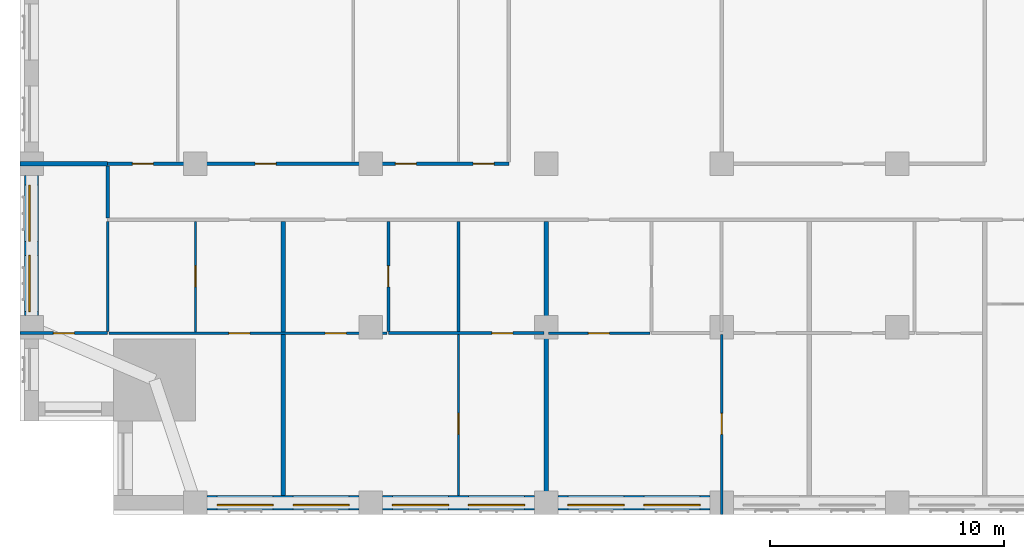
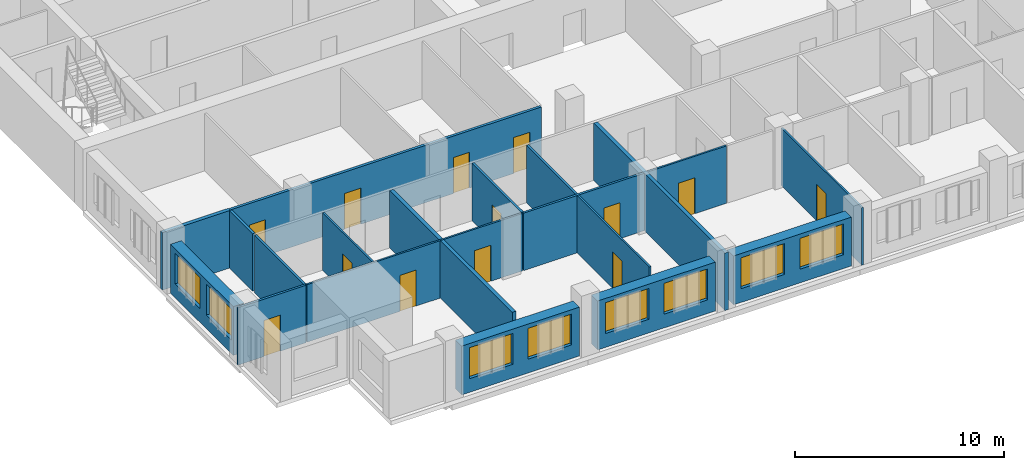
# One storey, part 4 of 14: 19 walls, 13 doors, 8 windows, 21 openings.
"""IFC4 building model written with IfcOpenShell, lengths in metres."""

from ifc_helpers import new_model, si_unit, direction, frame, frame_2d, origin, place, context, subcontext, project, spatial, rectangle, extrude, material, layer, layer_set, type_object, element, fill, save


model = new_model("IFC4")

# Units and contexts
model_context = context("Model", 3, precision=1e-05, world=origin(), true_north=direction((0.0, 1.0)))
body_context = subcontext(model_context, "Body", "Model", "MODEL_VIEW")
ifc_project = project(units=[si_unit("LENGTHUNIT", "METRE"), si_unit("AREAUNIT", "SQUARE_METRE"), si_unit("VOLUMEUNIT", "CUBIC_METRE"), si_unit("PLANEANGLEUNIT", "RADIAN"), si_unit("MASSUNIT", "GRAM", prefix="KILO")], contexts=[model_context])

# Site, building, storey
site_placement = place(None, origin())
site = spatial("IfcSite", under=ifc_project, at=site_placement, CompositionType="ELEMENT")
building_placement = place(site_placement, origin())
building = spatial("IfcBuilding", under=site, at=building_placement, Name="Tamorin Gate", CompositionType="ELEMENT")
storey_placement = place(building_placement, frame((0.0, 0.0, 137.39990234375)))
storey = spatial("IfcBuildingStorey", under=building, at=storey_placement, Name="L33", CompositionType="ELEMENT", Elevation=137.39990234375)

# Wall, openings, windows
ifc_material_1 = material(Name="Precast concrete C40/50", Category="concrete")
ifc_layer_1 = layer(ifc_material_1, 0.60009765625)
ifc_layer_set_1 = layer_set([ifc_layer_1], Name="Precast concrete C40/50")
wall_type_1 = type_object("IfcWallType", Name="Board-marked concrete facade panel 600", PredefinedType="SOLIDWALL", material=ifc_layer_set_1)
wall_1_placement = place(storey_placement, frame((38.0, 38.0, 0.0), z_axis=(0.0, 0.0, 1.0), x_axis=(1.0, 0.0, 0.0)))
wall_1 = element("IfcWall", 1, at=wall_1_placement, inside=storey, type_object=wall_type_1, Name="Facade panel", PredefinedType="SOLIDWALL", context=body_context, shape_type="SweptSolid", body=[
    extrude(rectangle(XDim=6.5, YDim=0.60009765625, at=frame_2d((3.25, 0.0))), origin(), (0.0, 0.0, 1.0), 2.85009765625),
])
opening_1_placement = place(wall_1_placement, frame((0.425048828125, 0.0, 0.800048828125)))
opening_1 = element("IfcOpeningElement", 2, at=opening_1_placement, cuts=wall_1, Name="Opening WN1", PredefinedType="OPENING", context=body_context, shape_type="SweptSolid", body=[
    extrude(rectangle(XDim=2.39990234375, YDim=1.800048828125, at=frame_2d((1.199951171875, 0.89990234375))), frame((0.0, 0.31005859375, 0.0), z_axis=(0.0, -1.0, 0.0), x_axis=(1.0, 0.0, 0.0)), (0.0, 0.0, 1.0), 0.6201171875),
])
opening_2_placement = place(wall_1_placement, frame((3.675048828125, 0.0, 0.800048828125)))
opening_2 = element("IfcOpeningElement", 3, at=opening_2_placement, cuts=wall_1, Name="Opening WN1", PredefinedType="OPENING", context=body_context, shape_type="SweptSolid", body=[
    extrude(rectangle(XDim=2.39990234375, YDim=1.800048828125, at=frame_2d((1.199951171875, 0.89990234375))), frame((0.0, 0.31005859375, 0.0), z_axis=(0.0, -1.0, 0.0), x_axis=(1.0, 0.0, 0.0)), (0.0, 0.0, 1.0), 0.6201171875),
])
ifc_material_2 = material(Name="Clear glass in aluminium frame", Category="aluminium")
window_type = type_object("IfcWindowType", Name="Deep-set window 2400x1800", PartitioningType="SINGLE_PANEL", PredefinedType="WINDOW", material=ifc_material_2)
window_1_placement = place(opening_1_placement, origin())
window_1 = element("IfcWindow", 4, at=window_1_placement, inside=storey, type_object=window_type, Name="Deep-set window", OverallHeight=1.800048828125, OverallWidth=2.39990234375, PartitioningType="SINGLE_PANEL", PredefinedType="WINDOW", context=body_context, shape_type="SweptSolid", body=[
    extrude(rectangle(XDim=2.39990234375, YDim=1.800048828125, at=frame_2d((1.199951171875, 0.89990234375))), frame((0.0, -0.070068359375, 0.0), z_axis=(0.0, -1.0, 0.0), x_axis=(1.0, 0.0, 0.0)), (0.0, 0.0, 1.0), 0.06005859375),
])
fill(opening_1, window_1)
window_2_placement = place(opening_2_placement, origin())
window_2 = element("IfcWindow", 5, at=window_2_placement, inside=storey, type_object=window_type, Name="Deep-set window", OverallHeight=1.800048828125, OverallWidth=2.39990234375, PartitioningType="SINGLE_PANEL", PredefinedType="WINDOW", context=body_context, shape_type="SweptSolid", body=[
    extrude(rectangle(XDim=2.39990234375, YDim=1.800048828125, at=frame_2d((1.199951171875, 0.89990234375))), frame((0.0, -0.070068359375, 0.0), z_axis=(0.0, -1.0, 0.0), x_axis=(1.0, 0.0, 0.0)), (0.0, 0.0, 1.0), 0.06005859375),
])
fill(opening_2, window_2)

wall_2_placement = place(storey_placement, frame((45.5, 38.0, 0.0), z_axis=(0.0, 0.0, 1.0), x_axis=(1.0, 0.0, 0.0)))
wall_2 = element("IfcWall", 6, at=wall_2_placement, inside=storey, type_object=wall_type_1, Name="Facade panel", PredefinedType="SOLIDWALL", context=body_context, shape_type="SweptSolid", body=[
    extrude(rectangle(XDim=6.5, YDim=0.60009765625, at=frame_2d((3.25, 0.0))), origin(), (0.0, 0.0, 1.0), 2.85009765625),
])
opening_3_placement = place(wall_2_placement, frame((0.425048828125, 0.0, 0.800048828125)))
opening_3 = element("IfcOpeningElement", 7, at=opening_3_placement, cuts=wall_2, Name="Opening WN1", PredefinedType="OPENING", context=body_context, shape_type="SweptSolid", body=[
    extrude(rectangle(XDim=2.39990234375, YDim=1.800048828125, at=frame_2d((1.199951171875, 0.89990234375))), frame((0.0, 0.31005859375, 0.0), z_axis=(0.0, -1.0, 0.0), x_axis=(1.0, 0.0, 0.0)), (0.0, 0.0, 1.0), 0.6201171875),
])
opening_4_placement = place(wall_2_placement, frame((3.675048828125, 0.0, 0.800048828125)))
opening_4 = element("IfcOpeningElement", 8, at=opening_4_placement, cuts=wall_2, Name="Opening WN1", PredefinedType="OPENING", context=body_context, shape_type="SweptSolid", body=[
    extrude(rectangle(XDim=2.39990234375, YDim=1.800048828125, at=frame_2d((1.199951171875, 0.89990234375))), frame((0.0, 0.31005859375, 0.0), z_axis=(0.0, -1.0, 0.0), x_axis=(1.0, 0.0, 0.0)), (0.0, 0.0, 1.0), 0.6201171875),
])
window_3_placement = place(opening_3_placement, origin())
window_3 = element("IfcWindow", 9, at=window_3_placement, inside=storey, type_object=window_type, Name="Deep-set window", OverallHeight=1.800048828125, OverallWidth=2.39990234375, PartitioningType="SINGLE_PANEL", PredefinedType="WINDOW", context=body_context, shape_type="SweptSolid", body=[
    extrude(rectangle(XDim=2.39990234375, YDim=1.800048828125, at=frame_2d((1.199951171875, 0.89990234375))), frame((0.0, -0.070068359375, 0.0), z_axis=(0.0, -1.0, 0.0), x_axis=(1.0, 0.0, 0.0)), (0.0, 0.0, 1.0), 0.06005859375),
])
fill(opening_3, window_3)
window_4_placement = place(opening_4_placement, origin())
window_4 = element("IfcWindow", 10, at=window_4_placement, inside=storey, type_object=window_type, Name="Deep-set window", OverallHeight=1.800048828125, OverallWidth=2.39990234375, PartitioningType="SINGLE_PANEL", PredefinedType="WINDOW", context=body_context, shape_type="SweptSolid", body=[
    extrude(rectangle(XDim=2.39990234375, YDim=1.800048828125, at=frame_2d((1.199951171875, 0.89990234375))), frame((0.0, -0.070068359375, 0.0), z_axis=(0.0, -1.0, 0.0), x_axis=(1.0, 0.0, 0.0)), (0.0, 0.0, 1.0), 0.06005859375),
])
fill(opening_4, window_4)

wall_3_placement = place(storey_placement, frame((53.0, 38.0, 0.0), z_axis=(0.0, 0.0, 1.0), x_axis=(1.0, 0.0, 0.0)))
wall_3 = element("IfcWall", 11, at=wall_3_placement, inside=storey, type_object=wall_type_1, Name="Facade panel", PredefinedType="SOLIDWALL", context=body_context, shape_type="SweptSolid", body=[
    extrude(rectangle(XDim=6.5, YDim=0.60009765625, at=frame_2d((3.25, 0.0))), origin(), (0.0, 0.0, 1.0), 2.85009765625),
])
opening_5_placement = place(wall_3_placement, frame((0.425048828125, 0.0, 0.800048828125)))
opening_5 = element("IfcOpeningElement", 12, at=opening_5_placement, cuts=wall_3, Name="Opening WN1", PredefinedType="OPENING", context=body_context, shape_type="SweptSolid", body=[
    extrude(rectangle(XDim=2.39990234375, YDim=1.800048828125, at=frame_2d((1.199951171875, 0.89990234375))), frame((0.0, 0.31005859375, 0.0), z_axis=(0.0, -1.0, 0.0), x_axis=(1.0, 0.0, 0.0)), (0.0, 0.0, 1.0), 0.6201171875),
])
opening_6_placement = place(wall_3_placement, frame((3.675048828125, 0.0, 0.800048828125)))
opening_6 = element("IfcOpeningElement", 13, at=opening_6_placement, cuts=wall_3, Name="Opening WN1", PredefinedType="OPENING", context=body_context, shape_type="SweptSolid", body=[
    extrude(rectangle(XDim=2.39990234375, YDim=1.800048828125, at=frame_2d((1.199951171875, 0.89990234375))), frame((0.0, 0.31005859375, 0.0), z_axis=(0.0, -1.0, 0.0), x_axis=(1.0, 0.0, 0.0)), (0.0, 0.0, 1.0), 0.6201171875),
])
window_5_placement = place(opening_5_placement, origin())
window_5 = element("IfcWindow", 14, at=window_5_placement, inside=storey, type_object=window_type, Name="Deep-set window", OverallHeight=1.800048828125, OverallWidth=2.39990234375, PartitioningType="SINGLE_PANEL", PredefinedType="WINDOW", context=body_context, shape_type="SweptSolid", body=[
    extrude(rectangle(XDim=2.39990234375, YDim=1.800048828125, at=frame_2d((1.199951171875, 0.89990234375))), frame((0.0, -0.070068359375, 0.0), z_axis=(0.0, -1.0, 0.0), x_axis=(1.0, 0.0, 0.0)), (0.0, 0.0, 1.0), 0.06005859375),
])
fill(opening_5, window_5)
window_6_placement = place(opening_6_placement, origin())
window_6 = element("IfcWindow", 15, at=window_6_placement, inside=storey, type_object=window_type, Name="Deep-set window", OverallHeight=1.800048828125, OverallWidth=2.39990234375, PartitioningType="SINGLE_PANEL", PredefinedType="WINDOW", context=body_context, shape_type="SweptSolid", body=[
    extrude(rectangle(XDim=2.39990234375, YDim=1.800048828125, at=frame_2d((1.199951171875, 0.89990234375))), frame((0.0, -0.070068359375, 0.0), z_axis=(0.0, -1.0, 0.0), x_axis=(1.0, 0.0, 0.0)), (0.0, 0.0, 1.0), 0.06005859375),
])
fill(opening_6, window_6)

wall_4_placement = place(storey_placement, frame((30.5, 52.0, 0.0), z_axis=(0.0, 0.0, 1.0), x_axis=(0.0, -1.0, 0.0)))
wall_4 = element("IfcWall", 16, at=wall_4_placement, inside=storey, type_object=wall_type_1, Name="Facade panel", PredefinedType="SOLIDWALL", context=body_context, shape_type="SweptSolid", body=[
    extrude(rectangle(XDim=6.0, YDim=0.60009765625, at=frame_2d((3.0, 0.0))), origin(), (0.0, 0.0, 1.0), 2.85009765625),
])
opening_7_placement = place(wall_4_placement, frame((3.425048828125, 0.0, 0.800048828125)))
opening_7 = element("IfcOpeningElement", 17, at=opening_7_placement, cuts=wall_4, Name="Opening WN1", PredefinedType="OPENING", context=body_context, shape_type="SweptSolid", body=[
    extrude(rectangle(XDim=2.39990234375, YDim=1.800048828125, at=frame_2d((1.199951171875, 0.89990234375))), frame((0.0, 0.31005859375, 0.0), z_axis=(0.0, -1.0, 0.0), x_axis=(1.0, 0.0, 0.0)), (0.0, 0.0, 1.0), 0.6201171875),
])
opening_8_placement = place(wall_4_placement, frame((0.425048828125, 0.0, 0.800048828125)))
opening_8 = element("IfcOpeningElement", 18, at=opening_8_placement, cuts=wall_4, Name="Opening WN1", PredefinedType="OPENING", context=body_context, shape_type="SweptSolid", body=[
    extrude(rectangle(XDim=2.39990234375, YDim=1.800048828125, at=frame_2d((1.199951171875, 0.89990234375))), frame((0.0, 0.31005859375, 0.0), z_axis=(0.0, -1.0, 0.0), x_axis=(1.0, 0.0, 0.0)), (0.0, 0.0, 1.0), 0.6201171875),
])
window_7_placement = place(opening_7_placement, origin())
window_7 = element("IfcWindow", 19, at=window_7_placement, inside=storey, type_object=window_type, Name="Deep-set window", OverallHeight=1.800048828125, OverallWidth=2.39990234375, PartitioningType="SINGLE_PANEL", PredefinedType="WINDOW", context=body_context, shape_type="SweptSolid", body=[
    extrude(rectangle(XDim=2.39990234375, YDim=1.800048828125, at=frame_2d((1.199951171875, 0.89990234375))), frame((0.0, -0.070068359375, 0.0), z_axis=(0.0, -1.0, 0.0), x_axis=(1.0, 0.0, 0.0)), (0.0, 0.0, 1.0), 0.06005859375),
])
fill(opening_7, window_7)
window_8_placement = place(opening_8_placement, origin())
window_8 = element("IfcWindow", 20, at=window_8_placement, inside=storey, type_object=window_type, Name="Deep-set window", OverallHeight=1.800048828125, OverallWidth=2.39990234375, PartitioningType="SINGLE_PANEL", PredefinedType="WINDOW", context=body_context, shape_type="SweptSolid", body=[
    extrude(rectangle(XDim=2.39990234375, YDim=1.800048828125, at=frame_2d((1.199951171875, 0.89990234375))), frame((0.0, -0.070068359375, 0.0), z_axis=(0.0, -1.0, 0.0), x_axis=(1.0, 0.0, 0.0)), (0.0, 0.0, 1.0), 0.06005859375),
])
fill(opening_8, window_8)

# Wall, openings, doors
ifc_material_3 = material(Name="Gypsum board partition")
ifc_layer_2 = layer(ifc_material_3, 0.14990234375)
ifc_layer_set_2 = layer_set([ifc_layer_2], Name="Corridor wall 150")
wall_type_2 = type_object("IfcWallType", Name="Corridor wall 150", PredefinedType="PARTITIONING", material=ifc_layer_set_2)
wall_5_placement = place(storey_placement, frame((33.75, 52.5, 0.0), z_axis=(0.0, 0.0, 1.0), x_axis=(1.0, 0.0, 0.0)))
wall_5 = element("IfcWall", 21, at=wall_5_placement, inside=storey, type_object=wall_type_2, Name="Corridor wall 150", PredefinedType="PARTITIONING", context=body_context, shape_type="SweptSolid", body=[
    extrude(rectangle(XDim=17.14990234375, YDim=0.14990234375, at=frame_2d((8.574951171875, 0.0))), origin(), (0.0, 0.0, 1.0), 3.35009765625),
])
opening_9_placement = place(wall_5_placement, frame((1.050048828125, 0.0, 0.0)))
opening_9 = element("IfcOpeningElement", 22, at=opening_9_placement, cuts=wall_5, Name="Opening DS3068", PredefinedType="OPENING", context=body_context, shape_type="SweptSolid", body=[
    extrude(rectangle(XDim=0.89990234375, YDim=2.10009765625, at=frame_2d((0.449951171875, 1.050048828125))), frame((0.0, 0.0849609375, 0.0), z_axis=(0.0, -1.0, 0.0), x_axis=(1.0, 0.0, 0.0)), (0.0, 0.0, 1.0), 0.169921875),
])
opening_10_placement = place(wall_5_placement, frame((6.300048828125, 0.0, 0.0)))
opening_10 = element("IfcOpeningElement", 23, at=opening_10_placement, cuts=wall_5, Name="Opening DS3069", PredefinedType="OPENING", context=body_context, shape_type="SweptSolid", body=[
    extrude(rectangle(XDim=0.89990234375, YDim=2.10009765625, at=frame_2d((0.449951171875, 1.050048828125))), frame((0.0, 0.0849609375, 0.0), z_axis=(0.0, -1.0, 0.0), x_axis=(1.0, 0.0, 0.0)), (0.0, 0.0, 1.0), 0.169921875),
])
opening_11_placement = place(wall_5_placement, frame((12.300048828125, 0.0, 0.0)))
opening_11 = element("IfcOpeningElement", 24, at=opening_11_placement, cuts=wall_5, Name="Opening DS3070", PredefinedType="OPENING", context=body_context, shape_type="SweptSolid", body=[
    extrude(rectangle(XDim=0.89990234375, YDim=2.10009765625, at=frame_2d((0.449951171875, 1.050048828125))), frame((0.0, 0.0849609375, 0.0), z_axis=(0.0, -1.0, 0.0), x_axis=(1.0, 0.0, 0.0)), (0.0, 0.0, 1.0), 0.169921875),
])
opening_12_placement = place(wall_5_placement, frame((15.625, 0.0, 0.0)))
opening_12 = element("IfcOpeningElement", 25, at=opening_12_placement, cuts=wall_5, Name="Opening DS3071", PredefinedType="OPENING", context=body_context, shape_type="SweptSolid", body=[
    extrude(rectangle(XDim=0.89990234375, YDim=2.10009765625, at=frame_2d((0.449951171875, 1.050048828125))), frame((0.0, 0.0849609375, 0.0), z_axis=(0.0, -1.0, 0.0), x_axis=(1.0, 0.0, 0.0)), (0.0, 0.0, 1.0), 0.169921875),
])
ifc_material_4 = material(Name="Timber door leaf", Category="wood")
door_type_1 = type_object("IfcDoorType", Name="Door 900 x 2100 FD30S", OperationType="NOTDEFINED", PredefinedType="DOOR", material=ifc_material_4)
door_1_placement = place(opening_9_placement, origin())
door_1 = element("IfcDoor", 26, at=door_1_placement, inside=storey, type_object=door_type_1, Name="Door DS3068", OperationType="SINGLE_SWING_LEFT", OverallHeight=2.10009765625, OverallWidth=0.89990234375, PredefinedType="DOOR", context=body_context, shape_type="SweptSolid", body=[
    extrude(rectangle(XDim=0.89990234375, YDim=2.10009765625, at=frame_2d((0.449951171875, 1.050048828125))), frame((0.0, 0.02490234375, 0.0), z_axis=(0.0, -1.0, 0.0), x_axis=(1.0, 0.0, 0.0)), (0.0, 0.0, 1.0), 0.050048828125),
])
fill(opening_9, door_1)
door_2_placement = place(opening_10_placement, origin())
door_2 = element("IfcDoor", 27, at=door_2_placement, inside=storey, type_object=door_type_1, Name="Door DS3069", OperationType="SINGLE_SWING_LEFT", OverallHeight=2.10009765625, OverallWidth=0.89990234375, PredefinedType="DOOR", context=body_context, shape_type="SweptSolid", body=[
    extrude(rectangle(XDim=0.89990234375, YDim=2.10009765625, at=frame_2d((0.449951171875, 1.050048828125))), frame((0.0, 0.02490234375, 0.0), z_axis=(0.0, -1.0, 0.0), x_axis=(1.0, 0.0, 0.0)), (0.0, 0.0, 1.0), 0.050048828125),
])
fill(opening_10, door_2)
door_3_placement = place(opening_11_placement, origin())
door_3 = element("IfcDoor", 28, at=door_3_placement, inside=storey, type_object=door_type_1, Name="Door DS3070", OperationType="SINGLE_SWING_LEFT", OverallHeight=2.10009765625, OverallWidth=0.89990234375, PredefinedType="DOOR", context=body_context, shape_type="SweptSolid", body=[
    extrude(rectangle(XDim=0.89990234375, YDim=2.10009765625, at=frame_2d((0.449951171875, 1.050048828125))), frame((0.0, 0.02490234375, 0.0), z_axis=(0.0, -1.0, 0.0), x_axis=(1.0, 0.0, 0.0)), (0.0, 0.0, 1.0), 0.050048828125),
])
fill(opening_11, door_3)
door_4_placement = place(opening_12_placement, origin())
door_4 = element("IfcDoor", 29, at=door_4_placement, inside=storey, type_object=door_type_1, Name="Door DS3071", OperationType="SINGLE_SWING_LEFT", OverallHeight=2.10009765625, OverallWidth=0.89990234375, PredefinedType="DOOR", context=body_context, shape_type="SweptSolid", body=[
    extrude(rectangle(XDim=0.89990234375, YDim=2.10009765625, at=frame_2d((0.449951171875, 1.050048828125))), frame((0.0, 0.02490234375, 0.0), z_axis=(0.0, -1.0, 0.0), x_axis=(1.0, 0.0, 0.0)), (0.0, 0.0, 1.0), 0.050048828125),
])
fill(opening_12, door_4)

# Walls
wall_6_placement = place(storey_placement, frame((33.75, 50.175048828125, 0.0), z_axis=(0.0, 0.0, 1.0), x_axis=(0.0, 1.0, 0.0)))
element("IfcWall", 30, at=wall_6_placement, inside=storey, type_object=wall_type_2, Name="Corridor wall 150", PredefinedType="PARTITIONING", context=body_context, shape_type="SweptSolid", body=[
    extrude(rectangle(XDim=2.224853515625, YDim=0.14990234375, at=frame_2d((1.1123046875, 0.0))), origin(), (0.0, 0.0, 1.0), 3.35009765625),
])
ifc_layer_3 = layer(ifc_material_3, 0.199951171875)
ifc_layer_set_3 = layer_set([ifc_layer_3], Name="Demising wall 200")
wall_type_3 = type_object("IfcWallType", Name="Demising wall 200", PredefinedType="PARTITIONING", material=ifc_layer_set_3)
wall_7_placement = place(storey_placement, frame((30.0, 52.5, 0.0), z_axis=(0.0, 0.0, 1.0), x_axis=(1.0, 0.0, 0.0)))
element("IfcWall", 31, at=wall_7_placement, inside=storey, type_object=wall_type_3, Name="Demising wall 200", PredefinedType="PARTITIONING", context=body_context, shape_type="SweptSolid", body=[
    extrude(rectangle(XDim=3.75, YDim=0.199951171875, at=frame_2d((1.875, 0.0))), origin(), (0.0, 0.0, 1.0), 3.35009765625),
])
wall_8_placement = place(storey_placement, frame((41.25, 38.31005859375, 0.0), z_axis=(0.0, 0.0, 1.0), x_axis=(0.0, 1.0, 0.0)))
element("IfcWall", 32, at=wall_8_placement, inside=storey, type_object=wall_type_3, Name="Demising wall 200", PredefinedType="PARTITIONING", context=body_context, shape_type="SweptSolid", body=[
    extrude(rectangle(XDim=11.71484375, YDim=0.199951171875, at=frame_2d((5.857421875, 0.0))), origin(), (0.0, 0.0, 1.0), 3.35009765625),
])
wall_9_placement = place(storey_placement, frame((52.5, 37.5, 0.0), z_axis=(0.0, 0.0, 1.0), x_axis=(0.0, 1.0, 0.0)))
element("IfcWall", 33, at=wall_9_placement, inside=storey, type_object=wall_type_3, Name="Demising wall 200", PredefinedType="PARTITIONING", context=body_context, shape_type="SweptSolid", body=[
    extrude(rectangle(XDim=12.52490234375, YDim=0.199951171875, at=frame_2d((6.262451171875, 0.0))), origin(), (0.0, 0.0, 1.0), 3.35009765625),
])

# Wall, openings, doors
ifc_layer_4 = layer(ifc_material_3, 0.10009765625)
ifc_layer_set_4 = layer_set([ifc_layer_4], Name="Room partition 100")
wall_type_4 = type_object("IfcWallType", Name="Room partition 100", PredefinedType="PARTITIONING", material=ifc_layer_set_4)
wall_10_placement = place(storey_placement, frame((33.8125, 45.25, 0.0), z_axis=(0.0, 0.0, 1.0), x_axis=(1.0, 0.0, 0.0)))
wall_10 = element("IfcWall", 34, at=wall_10_placement, inside=storey, type_object=wall_type_4, Name="Room partition 100", PredefinedType="PARTITIONING", context=body_context, shape_type="SweptSolid", body=[
    extrude(rectangle(XDim=11.875, YDim=0.10009765625, at=frame_2d((5.9375, 0.0))), origin(), (0.0, 0.0, 1.0), 3.35009765625),
])
opening_13_placement = place(wall_10_placement, frame((5.112548828125, 0.0, 0.0)))
opening_13 = element("IfcOpeningElement", 35, at=opening_13_placement, cuts=wall_10, Name="Opening DS3004", PredefinedType="OPENING", context=body_context, shape_type="SweptSolid", body=[
    extrude(rectangle(XDim=0.89990234375, YDim=2.10009765625, at=frame_2d((0.449951171875, 1.050048828125))), frame((0.0, 0.06005859375, 0.0), z_axis=(0.0, -1.0, 0.0), x_axis=(1.0, 0.0, 0.0)), (0.0, 0.0, 1.0), 0.1201171875),
])
opening_14_placement = place(wall_10_placement, frame((9.237548828125, 0.0, 0.0)))
opening_14 = element("IfcOpeningElement", 36, at=opening_14_placement, cuts=wall_10, Name="Opening DS3006", PredefinedType="OPENING", context=body_context, shape_type="SweptSolid", body=[
    extrude(rectangle(XDim=0.89990234375, YDim=2.10009765625, at=frame_2d((0.449951171875, 1.050048828125))), frame((0.0, 0.06005859375, 0.0), z_axis=(0.0, -1.0, 0.0), x_axis=(1.0, 0.0, 0.0)), (0.0, 0.0, 1.0), 0.1201171875),
])
door_type_2 = type_object("IfcDoorType", Name="Door 900 x 2100", OperationType="NOTDEFINED", PredefinedType="DOOR", material=ifc_material_4)
door_5_placement = place(opening_13_placement, origin())
door_5 = element("IfcDoor", 37, at=door_5_placement, inside=storey, type_object=door_type_2, Name="Door DS3004", OperationType="SINGLE_SWING_LEFT", OverallHeight=2.10009765625, OverallWidth=0.89990234375, PredefinedType="DOOR", context=body_context, shape_type="SweptSolid", body=[
    extrude(rectangle(XDim=0.89990234375, YDim=2.10009765625, at=frame_2d((0.449951171875, 1.050048828125))), frame((0.0, 0.02490234375, 0.0), z_axis=(0.0, -1.0, 0.0), x_axis=(1.0, 0.0, 0.0)), (0.0, 0.0, 1.0), 0.050048828125),
])
fill(opening_13, door_5)
door_6_placement = place(opening_14_placement, origin())
door_6 = element("IfcDoor", 38, at=door_6_placement, inside=storey, type_object=door_type_2, Name="Door DS3006", OperationType="SINGLE_SWING_LEFT", OverallHeight=2.10009765625, OverallWidth=0.89990234375, PredefinedType="DOOR", context=body_context, shape_type="SweptSolid", body=[
    extrude(rectangle(XDim=0.89990234375, YDim=2.10009765625, at=frame_2d((0.449951171875, 1.050048828125))), frame((0.0, 0.02490234375, 0.0), z_axis=(0.0, -1.0, 0.0), x_axis=(1.0, 0.0, 0.0)), (0.0, 0.0, 1.0), 0.050048828125),
])
fill(opening_14, door_6)

# Wall, opening, door
wall_11_placement = place(storey_placement, frame((52.60009765625, 45.25, 0.0), z_axis=(0.0, 0.0, 1.0), x_axis=(1.0, 0.0, 0.0)))
wall_11 = element("IfcWall", 39, at=wall_11_placement, inside=storey, type_object=wall_type_4, Name="Room partition 100", PredefinedType="PARTITIONING", context=body_context, shape_type="SweptSolid", body=[
    extrude(rectangle(XDim=4.33740234375, YDim=0.10009765625, at=frame_2d((2.168701171875, 0.0))), origin(), (0.0, 0.0, 1.0), 3.35009765625),
])
opening_15_placement = place(wall_11_placement, frame((1.699951171875, 0.0, 0.0)))
opening_15 = element("IfcOpeningElement", 40, at=opening_15_placement, cuts=wall_11, Name="Opening DS3011", PredefinedType="OPENING", context=body_context, shape_type="SweptSolid", body=[
    extrude(rectangle(XDim=0.89990234375, YDim=2.10009765625, at=frame_2d((0.449951171875, 1.050048828125))), frame((0.0, 0.06005859375, 0.0), z_axis=(0.0, -1.0, 0.0), x_axis=(1.0, 0.0, 0.0)), (0.0, 0.0, 1.0), 0.1201171875),
])
door_7_placement = place(opening_15_placement, origin())
door_7 = element("IfcDoor", 41, at=door_7_placement, inside=storey, type_object=door_type_2, Name="Door DS3011", OperationType="SINGLE_SWING_LEFT", OverallHeight=2.10009765625, OverallWidth=0.89990234375, PredefinedType="DOOR", context=body_context, shape_type="SweptSolid", body=[
    extrude(rectangle(XDim=0.89990234375, YDim=2.10009765625, at=frame_2d((0.449951171875, 1.050048828125))), frame((0.0, 0.02490234375, 0.0), z_axis=(0.0, -1.0, 0.0), x_axis=(1.0, 0.0, 0.0)), (0.0, 0.0, 1.0), 0.050048828125),
])
fill(opening_15, door_7)

wall_12_placement = place(storey_placement, frame((37.5, 45.300048828125, 0.0), z_axis=(0.0, 0.0, 1.0), x_axis=(0.0, 1.0, 0.0)))
wall_12 = element("IfcWall", 42, at=wall_12_placement, inside=storey, type_object=wall_type_4, Name="Room partition 100", PredefinedType="PARTITIONING", context=body_context, shape_type="SweptSolid", body=[
    extrude(rectangle(XDim=4.724853515625, YDim=0.10009765625, at=frame_2d((2.3623046875, 0.0))), origin(), (0.0, 0.0, 1.0), 3.35009765625),
])
opening_16_placement = place(wall_12_placement, frame((1.925048828125, 0.0, 0.0)))
opening_16 = element("IfcOpeningElement", 43, at=opening_16_placement, cuts=wall_12, Name="Opening DS3002", PredefinedType="OPENING", context=body_context, shape_type="SweptSolid", body=[
    extrude(rectangle(XDim=0.89990234375, YDim=2.10009765625, at=frame_2d((0.449951171875, 1.050048828125))), frame((0.0, 0.06005859375, 0.0), z_axis=(0.0, -1.0, 0.0), x_axis=(1.0, 0.0, 0.0)), (0.0, 0.0, 1.0), 0.1201171875),
])
door_8_placement = place(opening_16_placement, origin())
door_8 = element("IfcDoor", 44, at=door_8_placement, inside=storey, type_object=door_type_2, Name="Door DS3002", OperationType="SINGLE_SWING_RIGHT", OverallHeight=2.10009765625, OverallWidth=0.89990234375, PredefinedType="DOOR", context=body_context, shape_type="SweptSolid", body=[
    extrude(rectangle(XDim=0.89990234375, YDim=2.10009765625, at=frame_2d((0.449951171875, 1.050048828125))), frame((0.0, 0.02490234375, 0.0), z_axis=(0.0, -1.0, 0.0), x_axis=(1.0, 0.0, 0.0)), (0.0, 0.0, 1.0), 0.050048828125),
])
fill(opening_16, door_8)

wall_13_placement = place(storey_placement, frame((48.75, 38.31005859375, 0.0), z_axis=(0.0, 0.0, 1.0), x_axis=(0.0, 1.0, 0.0)))
wall_13 = element("IfcWall", 45, at=wall_13_placement, inside=storey, type_object=wall_type_4, Name="Room partition 100", PredefinedType="PARTITIONING", context=body_context, shape_type="SweptSolid", body=[
    extrude(rectangle(XDim=6.87744140625, YDim=0.10009765625, at=frame_2d((3.438720703125, 0.0))), origin(), (0.0, 0.0, 1.0), 3.35009765625),
])
opening_17_placement = place(wall_13_placement, frame((2.614990234375, 0.0, 0.0)))
opening_17 = element("IfcOpeningElement", 46, at=opening_17_placement, cuts=wall_13, Name="Opening DS3009", PredefinedType="OPENING", context=body_context, shape_type="SweptSolid", body=[
    extrude(rectangle(XDim=0.89990234375, YDim=2.10009765625, at=frame_2d((0.449951171875, 1.050048828125))), frame((0.0, 0.06005859375, 0.0), z_axis=(0.0, -1.0, 0.0), x_axis=(1.0, 0.0, 0.0)), (0.0, 0.0, 1.0), 0.1201171875),
])
door_9_placement = place(opening_17_placement, origin())
door_9 = element("IfcDoor", 47, at=door_9_placement, inside=storey, type_object=door_type_2, Name="Door DS3009", OperationType="SINGLE_SWING_LEFT", OverallHeight=2.10009765625, OverallWidth=0.89990234375, PredefinedType="DOOR", context=body_context, shape_type="SweptSolid", body=[
    extrude(rectangle(XDim=0.89990234375, YDim=2.10009765625, at=frame_2d((0.449951171875, 1.050048828125))), frame((0.0, 0.02490234375, 0.0), z_axis=(0.0, -1.0, 0.0), x_axis=(1.0, 0.0, 0.0)), (0.0, 0.0, 1.0), 0.050048828125),
])
fill(opening_17, door_9)

wall_14_placement = place(storey_placement, frame((60.0, 37.5, 0.0), z_axis=(0.0, 0.0, 1.0), x_axis=(0.0, 1.0, 0.0)))
wall_14 = element("IfcWall", 48, at=wall_14_placement, inside=storey, type_object=wall_type_4, Name="Room partition 100", PredefinedType="PARTITIONING", context=body_context, shape_type="SweptSolid", body=[
    extrude(rectangle(XDim=7.6875, YDim=0.10009765625, at=frame_2d((3.84375, 0.0))), origin(), (0.0, 0.0, 1.0), 3.35009765625),
])
opening_18_placement = place(wall_14_placement, frame((3.425048828125, 0.0, 0.0)))
opening_18 = element("IfcOpeningElement", 49, at=opening_18_placement, cuts=wall_14, Name="Opening DS3014", PredefinedType="OPENING", context=body_context, shape_type="SweptSolid", body=[
    extrude(rectangle(XDim=0.89990234375, YDim=2.10009765625, at=frame_2d((0.449951171875, 1.050048828125))), frame((0.0, 0.06005859375, 0.0), z_axis=(0.0, -1.0, 0.0), x_axis=(1.0, 0.0, 0.0)), (0.0, 0.0, 1.0), 0.1201171875),
])
door_10_placement = place(opening_18_placement, origin())
door_10 = element("IfcDoor", 50, at=door_10_placement, inside=storey, type_object=door_type_2, Name="Door DS3014", OperationType="SINGLE_SWING_LEFT", OverallHeight=2.10009765625, OverallWidth=0.89990234375, PredefinedType="DOOR", context=body_context, shape_type="SweptSolid", body=[
    extrude(rectangle(XDim=0.89990234375, YDim=2.10009765625, at=frame_2d((0.449951171875, 1.050048828125))), frame((0.0, 0.02490234375, 0.0), z_axis=(0.0, -1.0, 0.0), x_axis=(1.0, 0.0, 0.0)), (0.0, 0.0, 1.0), 0.050048828125),
])
fill(opening_18, door_10)

ifc_layer_5 = layer(ifc_material_3, 0.125)
ifc_layer_set_5 = layer_set([ifc_layer_5], Name="Wet wall 125")
wall_type_5 = type_object("IfcWallType", Name="Wet wall 125", PredefinedType="PARTITIONING", material=ifc_layer_set_5)
wall_15_placement = place(storey_placement, frame((30.0, 45.25, 0.0), z_axis=(0.0, 0.0, 1.0), x_axis=(1.0, 0.0, 0.0)))
wall_15 = element("IfcWall", 51, at=wall_15_placement, inside=storey, type_object=wall_type_5, Name="Wet wall 125", PredefinedType="PARTITIONING", context=body_context, shape_type="SweptSolid", body=[
    extrude(rectangle(XDim=3.75, YDim=0.125, at=frame_2d((1.875, 0.0))), origin(), (0.0, 0.0, 1.0), 3.35009765625),
])
opening_19_placement = place(wall_15_placement, frame((1.425048828125, 0.0, 0.0)))
opening_19 = element("IfcOpeningElement", 52, at=opening_19_placement, cuts=wall_15, Name="Opening DS3001", PredefinedType="OPENING", context=body_context, shape_type="SweptSolid", body=[
    extrude(rectangle(XDim=0.89990234375, YDim=2.10009765625, at=frame_2d((0.449951171875, 1.050048828125))), frame((0.0, 0.072509765625, 0.0), z_axis=(0.0, -1.0, 0.0), x_axis=(1.0, 0.0, 0.0)), (0.0, 0.0, 1.0), 0.14501953125),
])
door_11_placement = place(opening_19_placement, origin())
door_11 = element("IfcDoor", 53, at=door_11_placement, inside=storey, type_object=door_type_2, Name="Door DS3001", OperationType="SINGLE_SWING_LEFT", OverallHeight=2.10009765625, OverallWidth=0.89990234375, PredefinedType="DOOR", context=body_context, shape_type="SweptSolid", body=[
    extrude(rectangle(XDim=0.89990234375, YDim=2.10009765625, at=frame_2d((0.449951171875, 1.050048828125))), frame((0.0, 0.02490234375, 0.0), z_axis=(0.0, -1.0, 0.0), x_axis=(1.0, 0.0, 0.0)), (0.0, 0.0, 1.0), 0.050048828125),
])
fill(opening_19, door_11)

wall_16_placement = place(storey_placement, frame((45.75, 45.25, 0.0), z_axis=(0.0, 0.0, 1.0), x_axis=(1.0, 0.0, 0.0)))
wall_16 = element("IfcWall", 54, at=wall_16_placement, inside=storey, type_object=wall_type_5, Name="Wet wall 125", PredefinedType="PARTITIONING", context=body_context, shape_type="SweptSolid", body=[
    extrude(rectangle(XDim=6.64990234375, YDim=0.125, at=frame_2d((3.324951171875, 0.0))), origin(), (0.0, 0.0, 1.0), 3.35009765625),
])
opening_20_placement = place(wall_16_placement, frame((4.425048828125, 0.0, 0.0)))
opening_20 = element("IfcOpeningElement", 55, at=opening_20_placement, cuts=wall_16, Name="Opening DS3008", PredefinedType="OPENING", context=body_context, shape_type="SweptSolid", body=[
    extrude(rectangle(XDim=0.89990234375, YDim=2.10009765625, at=frame_2d((0.449951171875, 1.050048828125))), frame((0.0, 0.072509765625, 0.0), z_axis=(0.0, -1.0, 0.0), x_axis=(1.0, 0.0, 0.0)), (0.0, 0.0, 1.0), 0.14501953125),
])
door_12_placement = place(opening_20_placement, origin())
door_12 = element("IfcDoor", 56, at=door_12_placement, inside=storey, type_object=door_type_2, Name="Door DS3008", OperationType="SINGLE_SWING_LEFT", OverallHeight=2.10009765625, OverallWidth=0.89990234375, PredefinedType="DOOR", context=body_context, shape_type="SweptSolid", body=[
    extrude(rectangle(XDim=0.89990234375, YDim=2.10009765625, at=frame_2d((0.449951171875, 1.050048828125))), frame((0.0, 0.02490234375, 0.0), z_axis=(0.0, -1.0, 0.0), x_axis=(1.0, 0.0, 0.0)), (0.0, 0.0, 1.0), 0.050048828125),
])
fill(opening_20, door_12)

# Wall
wall_17_placement = place(storey_placement, frame((33.75, 45.3125, 0.0), z_axis=(0.0, 0.0, 1.0), x_axis=(0.0, 1.0, 0.0)))
element("IfcWall", 57, at=wall_17_placement, inside=storey, type_object=wall_type_5, Name="Wet wall 125", PredefinedType="PARTITIONING", context=body_context, shape_type="SweptSolid", body=[
    extrude(rectangle(XDim=4.71240234375, YDim=0.125, at=frame_2d((2.356201171875, 0.0))), origin(), (0.0, 0.0, 1.0), 3.35009765625),
])

# Wall, opening, door
wall_18_placement = place(storey_placement, frame((45.75, 45.3125, 0.0), z_axis=(0.0, 0.0, 1.0), x_axis=(0.0, 1.0, 0.0)))
wall_18 = element("IfcWall", 58, at=wall_18_placement, inside=storey, type_object=wall_type_5, Name="Wet wall 125", PredefinedType="PARTITIONING", context=body_context, shape_type="SweptSolid", body=[
    extrude(rectangle(XDim=4.71240234375, YDim=0.125, at=frame_2d((2.356201171875, 0.0))), origin(), (0.0, 0.0, 1.0), 3.35009765625),
])
opening_21_placement = place(wall_18_placement, frame((1.91259765625, 0.0, 0.0)))
opening_21 = element("IfcOpeningElement", 59, at=opening_21_placement, cuts=wall_18, Name="Opening DS3007", PredefinedType="OPENING", context=body_context, shape_type="SweptSolid", body=[
    extrude(rectangle(XDim=0.89990234375, YDim=2.10009765625, at=frame_2d((0.449951171875, 1.050048828125))), frame((0.0, 0.072509765625, 0.0), z_axis=(0.0, -1.0, 0.0), x_axis=(1.0, 0.0, 0.0)), (0.0, 0.0, 1.0), 0.14501953125),
])
door_13_placement = place(opening_21_placement, origin())
door_13 = element("IfcDoor", 60, at=door_13_placement, inside=storey, type_object=door_type_2, Name="Door DS3007", OperationType="SINGLE_SWING_LEFT", OverallHeight=2.10009765625, OverallWidth=0.89990234375, PredefinedType="DOOR", context=body_context, shape_type="SweptSolid", body=[
    extrude(rectangle(XDim=0.89990234375, YDim=2.10009765625, at=frame_2d((0.449951171875, 1.050048828125))), frame((0.0, 0.02490234375, 0.0), z_axis=(0.0, -1.0, 0.0), x_axis=(1.0, 0.0, 0.0)), (0.0, 0.0, 1.0), 0.050048828125),
])
fill(opening_21, door_13)

# Wall
wall_19_placement = place(storey_placement, frame((48.75, 45.3125, 0.0), z_axis=(0.0, 0.0, 1.0), x_axis=(0.0, 1.0, 0.0)))
element("IfcWall", 61, at=wall_19_placement, inside=storey, type_object=wall_type_5, Name="Wet wall 125", PredefinedType="PARTITIONING", context=body_context, shape_type="SweptSolid", body=[
    extrude(rectangle(XDim=4.71240234375, YDim=0.125, at=frame_2d((2.356201171875, 0.0))), origin(), (0.0, 0.0, 1.0), 3.35009765625),
])

save(model, "model.ifc")
